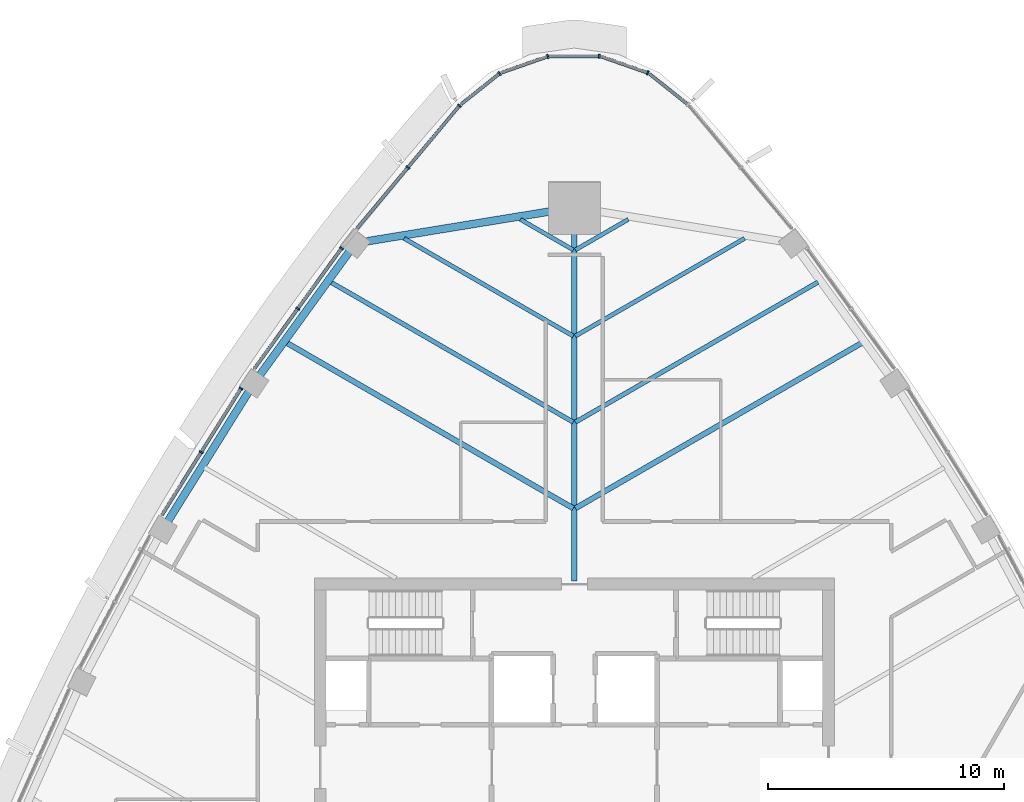
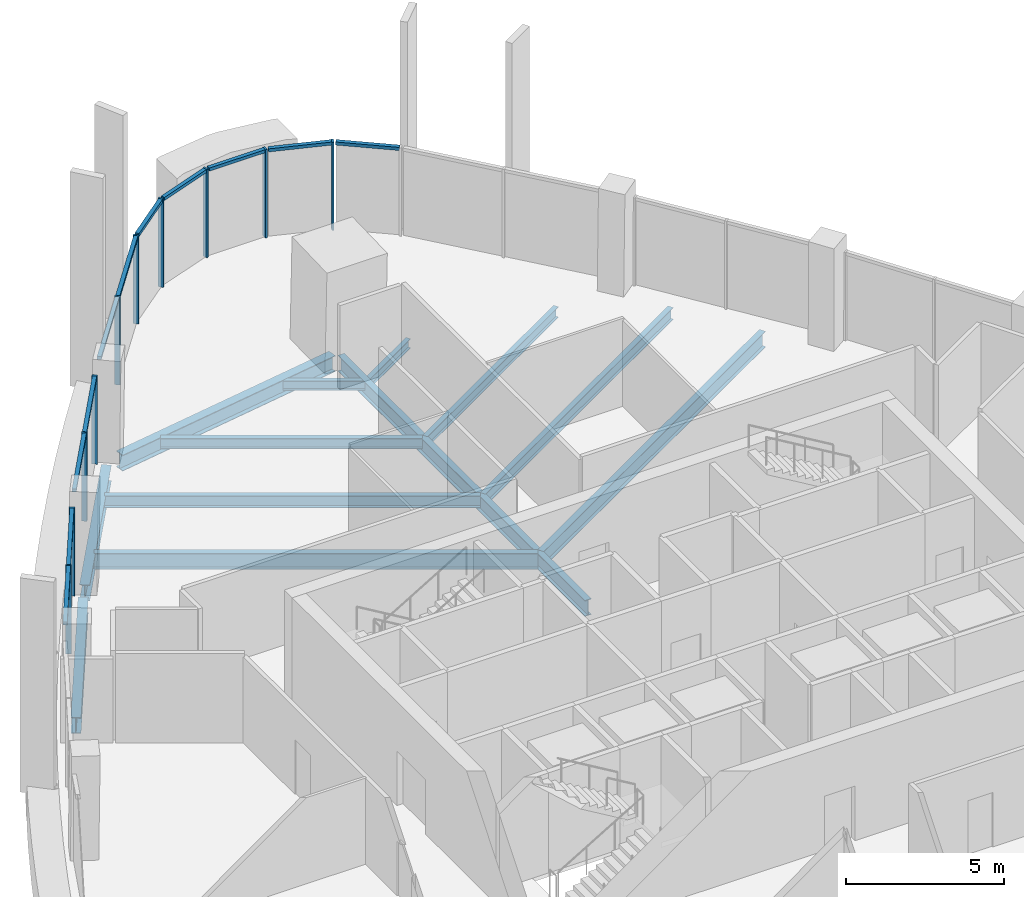
# One storey, part 5 of 19: 21 members, 12 beams, 8 elements without a shape of their own.
"""IFC4 building model written with IfcOpenShell, lengths in metres."""

from ifc_helpers import new_model, si_unit, direction, frame, origin, origin_2d, place, context, subcontext, project, spatial, rectangle, i_section, extrude, material, layer, layer_set, material_profile, profile_set, type_object, element, aggregate, save


model = new_model("IFC4")

# Units and contexts
model_context = context("Model", 3, precision=1e-05, world=origin(), true_north=direction((0.0, 1.0)))
body_context = subcontext(model_context, "Body", "Model", "MODEL_VIEW")
ifc_project = project(units=[si_unit("LENGTHUNIT", "METRE"), si_unit("AREAUNIT", "SQUARE_METRE"), si_unit("VOLUMEUNIT", "CUBIC_METRE"), si_unit("PLANEANGLEUNIT", "RADIAN"), si_unit("MASSUNIT", "GRAM", prefix="KILO")], contexts=[model_context])

# Site, building, storey
site_placement = place(None, origin())
site = spatial("IfcSite", under=ifc_project, at=site_placement, CompositionType="ELEMENT")
building_placement = place(site_placement, origin())
building = spatial("IfcBuilding", under=site, at=building_placement, Name="Sierra Prisma Convention Tower", CompositionType="ELEMENT")
storey_placement = place(building_placement, frame((0.0, 0.0, 295.0)))
storey = spatial("IfcBuildingStorey", under=building, at=storey_placement, Name="L67", CompositionType="ELEMENT", Elevation=295.0)

# Curtain wall, member
ifc_material_1 = material(Name="Aluminium and glass curtain wall", Category="aluminium")
ifc_layer = layer(ifc_material_1, 0.179931640625)
ifc_layer_set = layer_set([ifc_layer], Name="CW-1 Plain shaft curtain wall")
curtain_wall_type = type_object("IfcCurtainWallType", Name="CW-1 Plain shaft curtain wall", PredefinedType="NOTDEFINED", material=ifc_layer_set)
curtain_wall_1_placement = place(storey_placement, origin())
curtain_wall_1 = element("IfcCurtainWall", 1, at=curtain_wall_1_placement, inside=storey, type_object=curtain_wall_type, Name="CW-1 N2 L67", PredefinedType="NOTDEFINED")
ifc_material_2 = material(Name="Aluminium 6063-T6 bronze anodised", Category="aluminium")
ifc_material_profile_1 = material_profile(ifc_material_2, rectangle(XDim=0.179931640625, YDim=0.070068359375, at=origin_2d()), Name="ALU MULLION 70x180")
ifc_profile_set_1 = profile_set([ifc_material_profile_1], Name="Aluminium 6063-T6 bronze anodised")
member_type_1 = type_object("IfcMemberType", Name="CW mullion bronze", PredefinedType="MULLION", material=ifc_profile_set_1)
member_1_placement = place(storey_placement, frame((3.1044921875, 29.380126953125, 0.0), z_axis=(0.0, 0.0, 1.0), x_axis=(-0.329935064504, -0.944003629872, 0.0)))
member_1 = element("IfcMember", 2, at=member_1_placement, type_object=member_type_1, Name="CW-1 mullion N2.1", PredefinedType="MULLION", context=body_context, shape_type="SweptSolid", body=[
    extrude(rectangle(XDim=0.179931640625, YDim=0.070068359375, at=origin_2d()), origin(), (0.0, 0.0, 1.0), 3.39990234375),
])

curtain_wall_2_placement = place(storey_placement, origin())
curtain_wall_2 = element("IfcCurtainWall", 3, at=curtain_wall_2_placement, inside=storey, type_object=curtain_wall_type, Name="CW-1 N3 L67", PredefinedType="NOTDEFINED")
member_2_placement = place(storey_placement, frame((1.051513671875, 30.08544921875, 0.0), z_axis=(0.0, 0.0, 1.0), x_axis=(0.0, -1.0, 0.0)))
member_2 = element("IfcMember", 4, at=member_2_placement, type_object=member_type_1, Name="CW-1 mullion N3.1", PredefinedType="MULLION", context=body_context, shape_type="SweptSolid", body=[
    extrude(rectangle(XDim=0.179931640625, YDim=0.070068359375, at=origin_2d()), origin(), (0.0, 0.0, 1.0), 3.39990234375),
])

curtain_wall_3_placement = place(storey_placement, origin())
curtain_wall_3 = element("IfcCurtainWall", 5, at=curtain_wall_3_placement, inside=storey, type_object=curtain_wall_type, Name="CW-1 N4 L67", PredefinedType="NOTDEFINED")
member_3_placement = place(storey_placement, frame((-1.119384765625, 30.073974609375, 0.0), z_axis=(0.0, 0.0, 1.0), x_axis=(0.329935064504, -0.944003629872, 0.0)))
member_3 = element("IfcMember", 6, at=member_3_placement, type_object=member_type_1, Name="CW-1 mullion N4.1", PredefinedType="MULLION", context=body_context, shape_type="SweptSolid", body=[
    extrude(rectangle(XDim=0.179931640625, YDim=0.070068359375, at=origin_2d()), origin(), (0.0, 0.0, 1.0), 3.39990234375),
])

curtain_wall_4_placement = place(storey_placement, origin())
curtain_wall_4 = element("IfcCurtainWall", 7, at=curtain_wall_4_placement, inside=storey, type_object=curtain_wall_type, Name="CW-1 N5 L67", PredefinedType="NOTDEFINED")
member_4_placement = place(storey_placement, frame((-3.1650390625, 29.346923828125, 0.0), z_axis=(0.0, 0.0, 1.0), x_axis=(0.622919797027, -0.782285706421, 0.0)))
member_4 = element("IfcMember", 8, at=member_4_placement, type_object=member_type_1, Name="CW-1 mullion N5.1", PredefinedType="MULLION", context=body_context, shape_type="SweptSolid", body=[
    extrude(rectangle(XDim=0.179931640625, YDim=0.070068359375, at=origin_2d()), origin(), (0.0, 0.0, 1.0), 3.39990234375),
])

# Curtain wall, members
curtain_wall_5_placement = place(storey_placement, origin())
curtain_wall_5 = element("IfcCurtainWall", 9, at=curtain_wall_5_placement, inside=storey, type_object=curtain_wall_type, Name="CW-1 NW1 L67", PredefinedType="NOTDEFINED")
member_5_placement = place(storey_placement, frame((-4.85986328125, 27.98828125, 0.0), z_axis=(0.0, 0.0, 1.0), x_axis=(0.767557645485, -0.640979922352, 0.0)))
member_5 = element("IfcMember", 10, at=member_5_placement, type_object=member_type_1, Name="CW-1 mullion NW1.1", PredefinedType="MULLION", context=body_context, shape_type="SweptSolid", body=[
    extrude(rectangle(XDim=0.179931640625, YDim=0.070068359375, at=origin_2d()), origin(), (0.0, 0.0, 1.0), 3.39990234375),
])
member_6_placement = place(storey_placement, frame((-7.04296875, 25.3740234375, 0.0), z_axis=(0.0, 0.0, 1.0), x_axis=(0.767557645485, -0.640979922352, 0.0)))
member_6 = element("IfcMember", 11, at=member_6_placement, type_object=member_type_1, Name="CW-1 mullion NW1.2", PredefinedType="MULLION", context=body_context, shape_type="SweptSolid", body=[
    extrude(rectangle(XDim=0.179931640625, YDim=0.070068359375, at=origin_2d()), origin(), (0.0, 0.0, 1.0), 3.39990234375),
])

curtain_wall_6_placement = place(storey_placement, origin())
curtain_wall_6 = element("IfcCurtainWall", 12, at=curtain_wall_6_placement, inside=storey, type_object=curtain_wall_type, Name="CW-1 NW2 L67", PredefinedType="NOTDEFINED")
member_7_placement = place(storey_placement, frame((-9.846923828125, 21.95947265625, 0.0), z_axis=(0.0, 0.0, 1.0), x_axis=(0.809847585439, -0.586640339867, 0.0)))
member_7 = element("IfcMember", 13, at=member_7_placement, type_object=member_type_1, Name="CW-1 mullion NW2.1", PredefinedType="MULLION", context=body_context, shape_type="SweptSolid", body=[
    extrude(rectangle(XDim=0.179931640625, YDim=0.070068359375, at=origin_2d()), origin(), (0.0, 0.0, 1.0), 3.39990234375),
])
member_8_placement = place(storey_placement, frame((-11.7001953125, 19.401123046875, 0.0), z_axis=(0.0, 0.0, 1.0), x_axis=(0.809847585439, -0.586640339867, 0.0)))
member_8 = element("IfcMember", 14, at=member_8_placement, type_object=member_type_1, Name="CW-1 mullion NW2.2", PredefinedType="MULLION", context=body_context, shape_type="SweptSolid", body=[
    extrude(rectangle(XDim=0.179931640625, YDim=0.070068359375, at=origin_2d()), origin(), (0.0, 0.0, 1.0), 3.39990234375),
])

curtain_wall_7_placement = place(storey_placement, origin())
curtain_wall_7 = element("IfcCurtainWall", 15, at=curtain_wall_7_placement, inside=storey, type_object=curtain_wall_type, Name="CW-1 NW3 L67", PredefinedType="NOTDEFINED")
member_9_placement = place(storey_placement, frame((-14.10107421875, 16.028564453125, 0.0), z_axis=(0.0, 0.0, 1.0), x_axis=(0.848297852326, -0.529519361061, 0.0)))
member_9 = element("IfcMember", 16, at=member_9_placement, type_object=member_type_1, Name="CW-1 mullion NW3.1", PredefinedType="MULLION", context=body_context, shape_type="SweptSolid", body=[
    extrude(rectangle(XDim=0.179931640625, YDim=0.070068359375, at=origin_2d()), origin(), (0.0, 0.0, 1.0), 3.39990234375),
])
member_10_placement = place(storey_placement, frame((-15.7822265625, 13.335205078125, 0.0), z_axis=(0.0, 0.0, 1.0), x_axis=(0.848297852326, -0.529519361061, 0.0)))
member_10 = element("IfcMember", 17, at=member_10_placement, type_object=member_type_1, Name="CW-1 mullion NW3.2", PredefinedType="MULLION", context=body_context, shape_type="SweptSolid", body=[
    extrude(rectangle(XDim=0.179931640625, YDim=0.070068359375, at=origin_2d()), origin(), (0.0, 0.0, 1.0), 3.39990234375),
])

# Curtain wall, member
curtain_wall_8_placement = place(storey_placement, origin())
curtain_wall_8 = element("IfcCurtainWall", 18, at=curtain_wall_8_placement, inside=storey, type_object=curtain_wall_type, Name="CW-1 N1 L67", PredefinedType="NOTDEFINED")
ifc_material_3 = material(Name="Aluminium 6063-T6 bronze anodised", Category="aluminium")
ifc_material_profile_2 = material_profile(ifc_material_3, rectangle(XDim=0.139892578125, YDim=0.1201171875, at=origin_2d()), Name="ALU TRANSOM 120x140")
ifc_profile_set_2 = profile_set([ifc_material_profile_2], Name="Aluminium 6063-T6 bronze anodised")
member_type_2 = type_object("IfcMemberType", Name="CW transom bronze", PredefinedType="USERDEFINED", material=ifc_profile_set_2)
member_11_placement = place(storey_placement, frame((4.78271484375, 28.05859375, 3.340087890625), z_axis=(-0.782284479463, 0.622921337884, 0.0), x_axis=(-0.622921337884, -0.782284479463, 0.0)))
member_11 = element("IfcMember", 19, at=member_11_placement, type_object=member_type_2, Name="CW-1 transom N1.1", ObjectType="TRANSOM", PredefinedType="USERDEFINED", context=body_context, shape_type="SweptSolid", body=[
    extrude(rectangle(XDim=0.139892578125, YDim=0.1201171875, at=origin_2d()), origin(), (0.0, 0.0, 1.0), 2.032958984375),
])
aggregate(curtain_wall_8, [member_11])

# Member
member_12_placement = place(storey_placement, frame((3.071533203125, 29.3916015625, 3.340087890625), z_axis=(-0.943970642946, 0.330029430893, 0.0), x_axis=(-0.330029430893, -0.943970642946, 0.0)))
member_12 = element("IfcMember", 20, at=member_12_placement, type_object=member_type_2, Name="CW-1 transom N2.1", ObjectType="TRANSOM", PredefinedType="USERDEFINED", context=body_context, shape_type="SweptSolid", body=[
    extrude(rectangle(XDim=0.139892578125, YDim=0.1201171875, at=origin_2d()), origin(), (0.0, 0.0, 1.0), 2.032958984375),
])

aggregate(curtain_wall_1, [member_1, member_12])

member_13_placement = place(storey_placement, frame((1.016357421875, 30.08544921875, 3.340087890625), z_axis=(-1.0, 0.0, 0.0), x_axis=(0.0, -1.0, 0.0)))
member_13 = element("IfcMember", 21, at=member_13_placement, type_object=member_type_2, Name="CW-1 transom N3.1", ObjectType="TRANSOM", PredefinedType="USERDEFINED", context=body_context, shape_type="SweptSolid", body=[
    extrude(rectangle(XDim=0.139892578125, YDim=0.1201171875, at=origin_2d()), origin(), (0.0, 0.0, 1.0), 2.03271484375),
])

aggregate(curtain_wall_2, [member_2, member_13])

member_14_placement = place(storey_placement, frame((-1.152587890625, 30.0625, 3.340087890625), z_axis=(-0.943970642946, -0.330029430893, 0.0), x_axis=(0.330029430893, -0.943970642946, 0.0)))
member_14 = element("IfcMember", 22, at=member_14_placement, type_object=member_type_2, Name="CW-1 transom N4.1", ObjectType="TRANSOM", PredefinedType="USERDEFINED", context=body_context, shape_type="SweptSolid", body=[
    extrude(rectangle(XDim=0.139892578125, YDim=0.1201171875, at=origin_2d()), origin(), (0.0, 0.0, 1.0), 2.032958984375),
])

aggregate(curtain_wall_3, [member_3, member_14])

member_15_placement = place(storey_placement, frame((-3.1923828125, 29.324951171875, 3.340087890625), z_axis=(-0.782284479463, -0.622921337884, 0.0), x_axis=(0.622921337884, -0.782284479463, 0.0)))
member_15 = element("IfcMember", 23, at=member_15_placement, type_object=member_type_2, Name="CW-1 transom N5.1", ObjectType="TRANSOM", PredefinedType="USERDEFINED", context=body_context, shape_type="SweptSolid", body=[
    extrude(rectangle(XDim=0.139892578125, YDim=0.1201171875, at=origin_2d()), origin(), (0.0, 0.0, 1.0), 2.032958984375),
])

aggregate(curtain_wall_4, [member_4, member_15])

member_16_placement = place(storey_placement, frame((-4.88232421875, 27.96142578125, 3.340087890625), z_axis=(-0.640961521336, -0.76757301162, 0.0), x_axis=(0.76757301162, -0.640961521336, 0.0)))
member_16 = element("IfcMember", 24, at=member_16_placement, type_object=member_type_2, Name="CW-1 transom NW1.1", ObjectType="TRANSOM", PredefinedType="USERDEFINED", context=body_context, shape_type="SweptSolid", body=[
    extrude(rectangle(XDim=0.139892578125, YDim=0.1201171875, at=origin_2d()), origin(), (0.0, 0.0, 1.0), 3.3359375),
])

member_17_placement = place(storey_placement, frame((-7.0654296875, 25.34716796875, 3.340087890625), z_axis=(-0.640997528968, -0.767542942028, 0.0), x_axis=(0.767542942028, -0.640997528968, 0.0)))
member_17 = element("IfcMember", 25, at=member_17_placement, type_object=member_type_2, Name="CW-1 transom NW1.2", ObjectType="TRANSOM", PredefinedType="USERDEFINED", context=body_context, shape_type="SweptSolid", body=[
    extrude(rectangle(XDim=0.139892578125, YDim=0.1201171875, at=origin_2d()), origin(), (0.0, 0.0, 1.0), 3.335693359375),
])

aggregate(curtain_wall_5, [member_5, member_6, member_16, member_17])

member_18_placement = place(storey_placement, frame((-9.867431640625, 21.93115234375, 3.340087890625), z_axis=(-0.586652824619, -0.809838541542, 0.0), x_axis=(0.809838541542, -0.586652824619, 0.0)))
member_18 = element("IfcMember", 26, at=member_18_placement, type_object=member_type_2, Name="CW-1 transom NW2.1", ObjectType="TRANSOM", PredefinedType="USERDEFINED", context=body_context, shape_type="SweptSolid", body=[
    extrude(rectangle(XDim=0.139892578125, YDim=0.1201171875, at=origin_2d()), origin(), (0.0, 0.0, 1.0), 3.089111328125),
])

member_19_placement = place(storey_placement, frame((-11.720703125, 19.372802734375, 3.340087890625), z_axis=(-0.586638538401, -0.809848890388, 0.0), x_axis=(0.809848890388, -0.586638538401, 0.0)))
member_19 = element("IfcMember", 27, at=member_19_placement, type_object=member_type_2, Name="CW-1 transom NW2.2", ObjectType="TRANSOM", PredefinedType="USERDEFINED", context=body_context, shape_type="SweptSolid", body=[
    extrude(rectangle(XDim=0.139892578125, YDim=0.1201171875, at=origin_2d()), origin(), (0.0, 0.0, 1.0), 3.0888671875),
])

aggregate(curtain_wall_6, [member_7, member_8, member_18, member_19])

member_20_placement = place(storey_placement, frame((-14.11962890625, 15.998779296875, 3.340087890625), z_axis=(-0.529518218439, -0.848298565566, 0.0), x_axis=(0.848298565566, -0.529518218439, 0.0)))
member_20 = element("IfcMember", 28, at=member_20_placement, type_object=member_type_2, Name="CW-1 transom NW3.1", ObjectType="TRANSOM", PredefinedType="USERDEFINED", context=body_context, shape_type="SweptSolid", body=[
    extrude(rectangle(XDim=0.139892578125, YDim=0.1201171875, at=origin_2d()), origin(), (0.0, 0.0, 1.0), 3.104736328125),
])

member_21_placement = place(storey_placement, frame((-15.80078125, 13.3056640625, 3.340087890625), z_axis=(-0.529518218439, -0.848298565566, 0.0), x_axis=(0.848298565566, -0.529518218439, 0.0)))
member_21 = element("IfcMember", 29, at=member_21_placement, type_object=member_type_2, Name="CW-1 transom NW3.2", ObjectType="TRANSOM", PredefinedType="USERDEFINED", context=body_context, shape_type="SweptSolid", body=[
    extrude(rectangle(XDim=0.139892578125, YDim=0.1201171875, at=origin_2d()), origin(), (0.0, 0.0, 1.0), 3.104736328125),
])

aggregate(curtain_wall_7, [member_9, member_10, member_20, member_21])

# Beams
ifc_material_4 = material(Name="Steel ASTM A992 Gr 50", Category="steel")
ifc_material_profile_3 = material_profile(ifc_material_4, i_section(OverallWidth=0.172119140625, OverallDepth=0.35791015625, WebThickness=0.0078125, FlangeThickness=0.01318359375, at=origin_2d()), Name="W360x57")
ifc_profile_set_3 = profile_set([ifc_material_profile_3], Name="Steel ASTM A992 Gr 50")
beam_type_1 = type_object("IfcBeamType", Name="Floor joist W360x57", PredefinedType="JOIST", material=ifc_profile_set_3)
for number, where, z_axis, x_axis, name in (
    (30, (2.281005859375, 23.17919921875, -0.3291015625), (-0.866051688794, -0.499954470265, 0.0), (0.499954470265, -0.866051688794, 0.0), "Floor joist L67 NE13"),
    (31, (-2.281005859375, 23.17919921875, -0.3291015625), (0.866051688794, -0.499954470265, 0.0), (0.499954470265, 0.866051688794, 0.0), "Floor joist L67 NW01"),
):
    element("IfcBeam", number, at=place(storey_placement, frame(where, z_axis=z_axis, x_axis=x_axis)), inside=storey, type_object=beam_type_1, Name=name, PredefinedType="JOIST", context=body_context, shape_type="SweptSolid", body=[
        extrude(i_section(OverallWidth=0.172119140625, OverallDepth=0.35791015625, WebThickness=0.0078125, FlangeThickness=0.01318359375, at=origin_2d()), origin(), (0.0, 0.0, 1.0), 2.580810546875),
    ])
ifc_material_5 = material(Name="Steel ASTM A992 Gr 50", Category="steel")
ifc_material_profile_4 = material_profile(ifc_material_5, i_section(OverallWidth=0.177978515625, OverallDepth=0.406982421875, WebThickness=0.0078125, FlangeThickness=0.0126953125, at=origin_2d()), Name="W410x60")
ifc_profile_set_4 = profile_set([ifc_material_profile_4], Name="Steel ASTM A992 Gr 50")
beam_type_2 = type_object("IfcBeamType", Name="Floor joist W410x60", PredefinedType="JOIST", material=ifc_profile_set_4)
for number, where, z_axis, x_axis, name in (
    (32, (7.201171875, 22.376220703125, -0.353515625), (-0.866025169498, -0.500000405796, 0.0), (0.500000405796, -0.866025169498, 0.0), "Floor joist L67 NE12"),
    (33, (-7.201171875, 22.376220703125, -0.353515625), (0.866025169498, -0.500000405796, 0.0), (0.500000405796, 0.866025169498, 0.0), "Floor joist L67 NW02"),
):
    element("IfcBeam", number, at=place(storey_placement, frame(where, z_axis=z_axis, x_axis=x_axis)), inside=storey, type_object=beam_type_2, Name=name, PredefinedType="JOIST", context=body_context, shape_type="SweptSolid", body=[
        extrude(i_section(OverallWidth=0.177978515625, OverallDepth=0.406982421875, WebThickness=0.0078125, FlangeThickness=0.0126953125, at=origin_2d()), origin(), (0.0, 0.0, 1.0), 8.26220703125),
    ])
ifc_material_6 = material(Name="Steel ASTM A992 Gr 50", Category="steel")
ifc_material_profile_5 = material_profile(ifc_material_6, i_section(OverallWidth=0.18994140625, OverallDepth=0.45703125, WebThickness=0.009033203125, FlangeThickness=0.014404296875, at=origin_2d()), Name="W460x74")
ifc_profile_set_5 = profile_set([ifc_material_profile_5], Name="Steel ASTM A992 Gr 50")
beam_type_3 = type_object("IfcBeamType", Name="Floor joist W460x74", PredefinedType="JOIST", material=ifc_profile_set_5)
for number, where, z_axis, x_axis, name in (
    (34, (10.312255859375, 20.528564453125, -0.37841796875), (-0.866035714147, -0.499982141503, 0.0), (0.499982141503, -0.866035714147, 0.0), "Floor joist L67 NE11"),
    (35, (-10.312255859375, 20.528564453125, -0.37841796875), (0.866035714147, -0.499982141503, 0.0), (0.499982141503, 0.866035714147, 0.0), "Floor joist L67 NW03"),
):
    element("IfcBeam", number, at=place(storey_placement, frame(where, z_axis=z_axis, x_axis=x_axis)), inside=storey, type_object=beam_type_3, Name=name, PredefinedType="JOIST", context=body_context, shape_type="SweptSolid", body=[
        extrude(i_section(OverallWidth=0.18994140625, OverallDepth=0.45703125, WebThickness=0.009033203125, FlangeThickness=0.014404296875, at=origin_2d()), origin(), (0.0, 0.0, 1.0), 11.8544921875),
    ])
ifc_material_7 = material(Name="Steel ASTM A992 Gr 50", Category="steel")
ifc_material_profile_6 = material_profile(ifc_material_7, i_section(OverallWidth=0.22802734375, OverallDepth=0.60302734375, WebThickness=0.010498046875, FlangeThickness=0.014892578125, at=origin_2d()), Name="W610x101")
ifc_profile_set_6 = profile_set([ifc_material_profile_6], Name="Steel ASTM A992 Gr 50")
beam_type_4 = type_object("IfcBeamType", Name="Floor joist W610x101", PredefinedType="JOIST", material=ifc_profile_set_6)
for number, where, z_axis, x_axis, name in (
    (36, (12.17333984375, 17.95947265625, -0.451416015625), (-0.866027647951, -0.499996112969, 0.0), (0.499996112969, -0.866027647951, 0.0), "Floor joist L67 NE10"),
    (37, (-12.17333984375, 17.95947265625, -0.451416015625), (0.866027647951, -0.499996112969, 0.0), (0.499996112969, 0.866027647951, 0.0), "Floor joist L67 NW04"),
):
    element("IfcBeam", number, at=place(storey_placement, frame(where, z_axis=z_axis, x_axis=x_axis)), inside=storey, type_object=beam_type_4, Name=name, PredefinedType="JOIST", context=body_context, shape_type="SweptSolid", body=[
        extrude(i_section(OverallWidth=0.22802734375, OverallDepth=0.60302734375, WebThickness=0.010498046875, FlangeThickness=0.014892578125, at=origin_2d()), origin(), (0.0, 0.0, 1.0), 14.00341796875),
    ])
ifc_material_8 = material(Name="Steel ASTM A992 Gr 50", Category="steel")
ifc_material_profile_7 = material_profile(ifc_material_8, i_section(OverallWidth=0.22998046875, OverallDepth=0.616943359375, WebThickness=0.01318359375, FlangeThickness=0.022216796875, at=origin_2d()), Name="W610x140")
ifc_profile_set_7 = profile_set([ifc_material_profile_7], Name="Steel ASTM A992 Gr 50")
beam_type_5 = type_object("IfcBeamType", Name="Radial girder W610x140", PredefinedType="BEAM", material=ifc_profile_set_7)
beam_1_placement = place(storey_placement, frame((0.0, 23.464111328125, -0.45849609375), z_axis=(0.0, -1.0, 0.0), x_axis=(1.0, 0.0, 0.0)))
element("IfcBeam", 38, at=beam_1_placement, inside=storey, type_object=beam_type_5, Name="Radial girder L67 N", PredefinedType="BEAM", context=body_context, shape_type="SweptSolid", body=[
    extrude(i_section(OverallWidth=0.22998046875, OverallDepth=0.616943359375, WebThickness=0.01318359375, FlangeThickness=0.022216796875, at=origin_2d()), origin(), (0.0, 0.0, 1.0), 15.584228515625),
])
ifc_material_9 = material(Name="Steel ASTM A992 Gr 50", Category="steel")
ifc_material_profile_8 = material_profile(ifc_material_9, i_section(OverallWidth=0.324951171875, OverallDepth=0.615966796875, WebThickness=0.013916015625, FlangeThickness=0.021484375, at=origin_2d()), Name="W610x174")
ifc_profile_set_8 = profile_set([ifc_material_profile_8], Name="Steel ASTM A992 Gr 50")
beam_type_6 = type_object("IfcBeamType", Name="Spandrel beam W610x174", PredefinedType="BEAM", material=ifc_profile_set_8)
beam_2_placement = place(storey_placement, frame((-0.219970703125, 23.648193359375, -0.4580078125), z_axis=(-0.986941838849, -0.161077021109, 0.0), x_axis=(0.161077021109, -0.986941838849, 0.0)))
element("IfcBeam", 39, at=beam_2_placement, inside=storey, type_object=beam_type_6, Name="Spandrel L67-13", PredefinedType="BEAM", context=body_context, shape_type="SweptSolid", body=[
    extrude(i_section(OverallWidth=0.324951171875, OverallDepth=0.615966796875, WebThickness=0.013916015625, FlangeThickness=0.021484375, at=origin_2d()), origin(), (0.0, 0.0, 1.0), 8.666748046875),
])
for number, where, z_axis, x_axis, name in (
    (40, (-9.454345703125, 21.9052734375, -0.4580078125), (-0.586641909845, -0.80984644817, 0.0), (0.80984644817, -0.586641909845, 0.0), "Spandrel L67-14"),
    (41, (-13.722412109375, 15.974609375, -0.4580078125), (-0.529523441838, -0.848295305035, 0.0), (0.848295305035, -0.529523441838, 0.0), "Spandrel L67-15"),
):
    element("IfcBeam", number, at=place(storey_placement, frame(where, z_axis=z_axis, x_axis=x_axis)), inside=storey, type_object=beam_type_6, Name=name, PredefinedType="BEAM", context=body_context, shape_type="SweptSolid", body=[
        extrude(i_section(OverallWidth=0.324951171875, OverallDepth=0.615966796875, WebThickness=0.013916015625, FlangeThickness=0.021484375, at=origin_2d()), origin(), (0.0, 0.0, 1.0), 6.64697265625),
    ])

save(model, "model.ifc")
